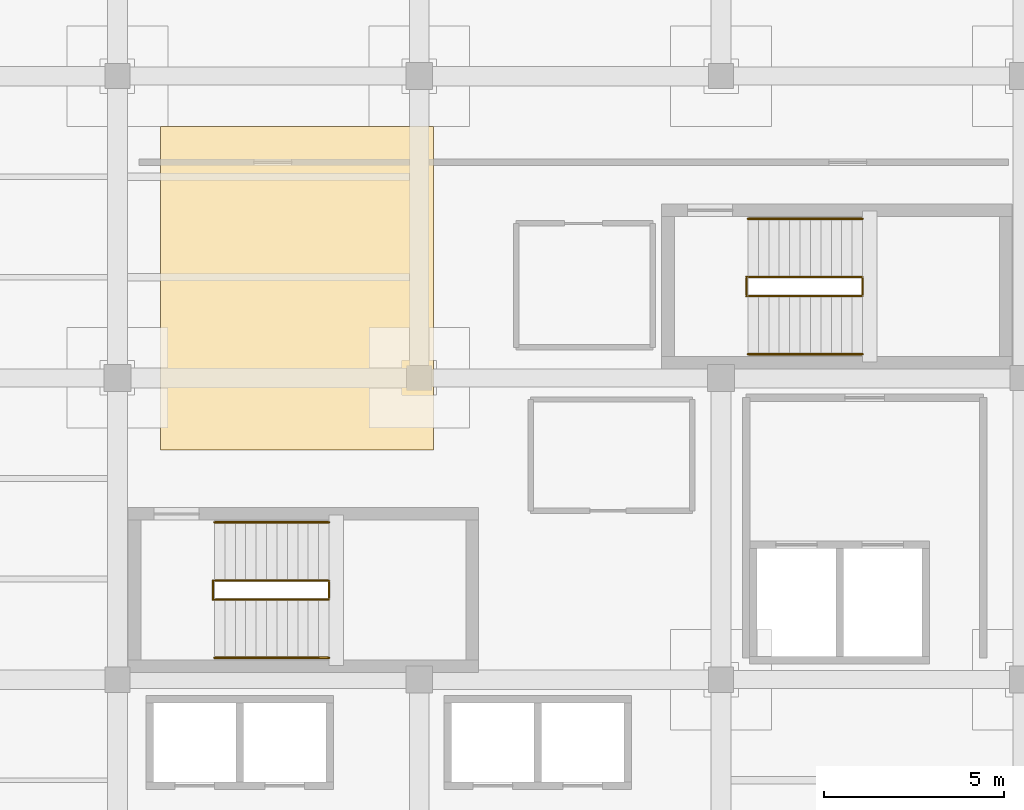
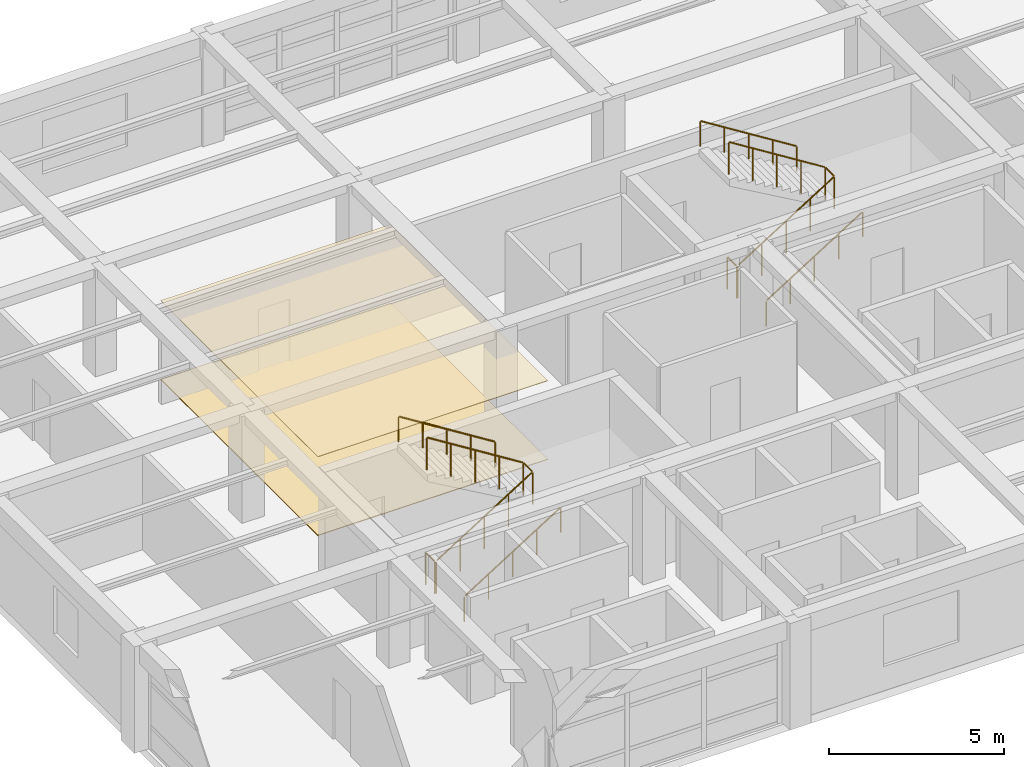
# One storey, part 31 of 31: 8 railings, 2 coverings.
"""IFC4 building model written with IfcOpenShell, lengths in metres."""

from ifc_helpers import new_model, si_unit, direction, frame, origin, origin_2d, place, context, subcontext, project, spatial, polyline, circle, outline, extrude, material, layer, layer_set, type_object, element, save


model = new_model("IFC4")

# Units and contexts
model_context = context("Model", 3, precision=1e-05, world=origin(), true_north=direction((0.0, 1.0)))
body_context = subcontext(model_context, "Body", "Model", "MODEL_VIEW")
ifc_project = project(units=[si_unit("LENGTHUNIT", "METRE"), si_unit("AREAUNIT", "SQUARE_METRE"), si_unit("VOLUMEUNIT", "CUBIC_METRE"), si_unit("PLANEANGLEUNIT", "RADIAN"), si_unit("MASSUNIT", "GRAM", prefix="KILO")], contexts=[model_context])

# Site, building, storey
site_placement = place(None, origin())
site = spatial("IfcSite", under=ifc_project, at=site_placement, CompositionType="ELEMENT")
building_placement = place(site_placement, origin())
building = spatial("IfcBuilding", under=site, at=building_placement, Name="Almacenes y Pasaje Nevantli", CompositionType="ELEMENT")
storey_placement = place(building_placement, frame((0.0, 0.0, 34.699951171875)))
storey = spatial("IfcBuildingStorey", under=building, at=storey_placement, Name="L08", CompositionType="ELEMENT", Elevation=34.699951171875)

# Coverings
ifc_material_1 = material(Name="Perforated Acoustic Mineral Fiber Ceiling", Category="gypsum")
ifc_layer_1 = layer(ifc_material_1, 0.02001953125)
ifc_layer_set_1 = layer_set([ifc_layer_1], Name="Perforated Acoustic Mineral Fiber Ceiling")
covering_type_1 = type_object("IfcCoveringType", Name="COV-CEIL-ACU", PredefinedType="CEILING", material=ifc_layer_set_1)
covering_1_placement = place(storey_placement, frame((0.0, 0.0, 2.75)))
element("IfcCovering", 1, at=covering_1_placement, inside=storey, type_object=covering_type_1, Name="L08 Suspended Acoustic Ceiling Panel", PredefinedType="CEILING", context=body_context, shape_type="SweptSolid", body=[
    extrude(outline(polyline([(118.800048828125, 82.0), (126.39990234375, 82.0), (126.39990234375, 91.0), (118.800048828125, 91.0), (118.800048828125, 82.0)])), origin(), (0.0, 0.0, 1.0), 0.02001953125),
])
ifc_material_2 = material(Name="Polished Toluca Stone Terrazzo Flooring", Category="masonry")
ifc_layer_2 = layer(ifc_material_2, 0.02490234375)
ifc_layer_set_2 = layer_set([ifc_layer_2], Name="Polished Toluca Stone Terrazzo Flooring")
covering_type_2 = type_object("IfcCoveringType", Name="COV-FLR-TERRAZZO", PredefinedType="FLOORING", material=ifc_layer_set_2)
covering_2_placement = place(storey_placement, origin())
element("IfcCovering", 2, at=covering_2_placement, inside=storey, type_object=covering_type_2, Name="L08 Polished Stone Terrazzo Floor Finish", PredefinedType="FLOORING", context=body_context, shape_type="SweptSolid", body=[
    extrude(outline(polyline([(118.800048828125, 82.0), (126.39990234375, 82.0), (126.39990234375, 91.0), (118.800048828125, 91.0), (118.800048828125, 82.0)])), origin(), (0.0, 0.0, 1.0), 0.025146484375),
])

# Railings
ifc_material_3 = material(Name="Brushed Stainless Steel and Tempered Safety Glass", Category="steel")
railing_type_1 = type_object("IfcRailingType", Name="RL-GUARD-1100", PredefinedType="BALUSTRADE", material=ifc_material_3)
railing_1_placement = place(storey_placement, frame((120.300048828125, 77.830078125, 0.0)))
element("IfcRailing", 3, at=railing_1_placement, inside=storey, type_object=railing_type_1, Name="L08 Stair ST-01 Inner Well Guard Balustrade", PredefinedType="BALUSTRADE", context=body_context, shape_type="SweptSolid", body=[
    extrude(circle(Radius=0.02392578125, at=origin_2d()), frame((0.025390625, 0.0, 1.141845703125), z_axis=(0.847247016309, 0.0, 0.531199108955), x_axis=(0.0, 1.0, 0.0)), (0.0, 0.0, 1.0), 3.705078125),
    extrude(circle(Radius=0.02392578125, at=origin_2d()), frame((3.18994140625, 0.030029296875, 3.1259765625), z_axis=(0.0, 1.0, 0.0), x_axis=(-1.0, 0.0, 0.0)), (0.0, 0.0, 1.0), 0.469970703125),
    extrude(circle(Radius=0.02392578125, at=origin_2d()), frame((3.16455078125, 0.530029296875, 3.141845703125), z_axis=(-0.847247016309, 0.0, 0.531199108955), x_axis=(0.0, -1.0, 0.0)), (0.0, 0.0, 1.0), 3.705078125),
    extrude(circle(Radius=0.02099609375, at=origin_2d()), origin(), (0.0, 0.0, 1.0), 1.096923828125),
    extrude(circle(Radius=0.02099609375, at=origin_2d()), frame((0.79736328125, 0.0, 0.5)), (0.0, 0.0, 1.0), 1.096923828125),
    extrude(circle(Radius=0.02099609375, at=origin_2d()), frame((1.594970703125, 0.0, 1.0)), (0.0, 0.0, 1.0), 1.096923828125),
    extrude(circle(Radius=0.02099609375, at=origin_2d()), frame((2.392578125, 0.0, 1.5)), (0.0, 0.0, 1.0), 1.096923828125),
    extrude(circle(Radius=0.02099609375, at=origin_2d()), frame((3.18994140625, 0.0, 2.0)), (0.0, 0.0, 1.0), 1.096923828125),
    extrude(circle(Radius=0.02099609375, at=origin_2d()), frame((3.18994140625, 0.530029296875, 2.0)), (0.0, 0.0, 1.0), 1.096923828125),
    extrude(circle(Radius=0.02099609375, at=origin_2d()), frame((2.392578125, 0.530029296875, 2.5)), (0.0, 0.0, 1.0), 1.096923828125),
    extrude(circle(Radius=0.02099609375, at=origin_2d()), frame((1.594970703125, 0.530029296875, 3.0)), (0.0, 0.0, 1.0), 1.096923828125),
    extrude(circle(Radius=0.02099609375, at=origin_2d()), frame((0.79736328125, 0.530029296875, 3.5)), (0.0, 0.0, 1.0), 1.096923828125),
    extrude(circle(Radius=0.02099609375, at=origin_2d()), frame((0.0, 0.530029296875, 4.0)), (0.0, 0.0, 1.0), 1.096923828125),
])
railing_2_placement = place(storey_placement, frame((120.260009765625, 77.830078125, 0.0)))
element("IfcRailing", 4, at=railing_2_placement, inside=storey, type_object=railing_type_1, Name="L08 Stair ST-01 Landing Well Slot Guard", PredefinedType="BALUSTRADE", context=body_context, shape_type="SweptSolid", body=[
    extrude(circle(Radius=0.02392578125, at=origin_2d()), frame((0.0, 0.030029296875, 1.1259765625), z_axis=(0.0, 1.0, 0.0), x_axis=(-1.0, 0.0, 0.0)), (0.0, 0.0, 1.0), 0.469970703125),
    extrude(circle(Radius=0.02099609375, at=origin_2d()), origin(), (0.0, 0.0, 1.0), 1.096923828125),
    extrude(circle(Radius=0.02099609375, at=origin_2d()), frame((0.0, 0.530029296875, 0.0)), (0.0, 0.0, 1.0), 1.096923828125),
])
railing_3_placement = place(storey_placement, frame((135.14990234375, 86.280029296875, 0.0)))
element("IfcRailing", 5, at=railing_3_placement, inside=storey, type_object=railing_type_1, Name="L08 Stair ST-02 Inner Well Guard Balustrade", PredefinedType="BALUSTRADE", context=body_context, shape_type="SweptSolid", body=[
    extrude(circle(Radius=0.02392578125, at=origin_2d()), frame((0.025390625, 0.0, 1.141845703125), z_axis=(0.847265311894, 0.0, 0.531169926918), x_axis=(0.0, 1.0, 0.0)), (0.0, 0.0, 1.0), 3.705322265625),
    extrude(circle(Radius=0.02392578125, at=origin_2d()), frame((3.190185546875, 0.030029296875, 3.1259765625), z_axis=(0.0, 1.0, 0.0), x_axis=(-1.0, 0.0, 0.0)), (0.0, 0.0, 1.0), 0.469970703125),
    extrude(circle(Radius=0.02392578125, at=origin_2d()), frame((3.164794921875, 0.530029296875, 3.141845703125), z_axis=(-0.847265311894, 0.0, 0.531169926918), x_axis=(0.0, -1.0, 0.0)), (0.0, 0.0, 1.0), 3.705322265625),
    extrude(circle(Radius=0.02099609375, at=origin_2d()), origin(), (0.0, 0.0, 1.0), 1.096923828125),
    extrude(circle(Radius=0.02099609375, at=origin_2d()), frame((0.797607421875, 0.0, 0.5)), (0.0, 0.0, 1.0), 1.096923828125),
    extrude(circle(Radius=0.02099609375, at=origin_2d()), frame((1.59521484375, 0.0, 1.0)), (0.0, 0.0, 1.0), 1.096923828125),
    extrude(circle(Radius=0.02099609375, at=origin_2d()), frame((2.392578125, 0.0, 1.5)), (0.0, 0.0, 1.0), 1.096923828125),
    extrude(circle(Radius=0.02099609375, at=origin_2d()), frame((3.190185546875, 0.0, 2.0)), (0.0, 0.0, 1.0), 1.096923828125),
    extrude(circle(Radius=0.02099609375, at=origin_2d()), frame((3.190185546875, 0.530029296875, 2.0)), (0.0, 0.0, 1.0), 1.096923828125),
    extrude(circle(Radius=0.02099609375, at=origin_2d()), frame((2.392578125, 0.530029296875, 2.5)), (0.0, 0.0, 1.0), 1.096923828125),
    extrude(circle(Radius=0.02099609375, at=origin_2d()), frame((1.59521484375, 0.530029296875, 3.0)), (0.0, 0.0, 1.0), 1.096923828125),
    extrude(circle(Radius=0.02099609375, at=origin_2d()), frame((0.797607421875, 0.530029296875, 3.5)), (0.0, 0.0, 1.0), 1.096923828125),
    extrude(circle(Radius=0.02099609375, at=origin_2d()), frame((0.0, 0.530029296875, 4.0)), (0.0, 0.0, 1.0), 1.096923828125),
])
railing_4_placement = place(storey_placement, frame((135.110107421875, 86.280029296875, 0.0)))
element("IfcRailing", 6, at=railing_4_placement, inside=storey, type_object=railing_type_1, Name="L08 Stair ST-02 Landing Well Slot Guard", PredefinedType="BALUSTRADE", context=body_context, shape_type="SweptSolid", body=[
    extrude(circle(Radius=0.02392578125, at=origin_2d()), frame((0.0, 0.030029296875, 1.1259765625), z_axis=(0.0, 1.0, 0.0), x_axis=(-1.0, 0.0, 0.0)), (0.0, 0.0, 1.0), 0.469970703125),
    extrude(circle(Radius=0.02099609375, at=origin_2d()), origin(), (0.0, 0.0, 1.0), 1.096923828125),
    extrude(circle(Radius=0.02099609375, at=origin_2d()), frame((0.0, 0.530029296875, 0.0)), (0.0, 0.0, 1.0), 1.096923828125),
])
ifc_material_4 = material(Name="Brushed Stainless Steel Tube", Category="steel")
railing_type_2 = type_object("IfcRailingType", Name="RL-HANDRAIL-900", PredefinedType="HANDRAIL", material=ifc_material_4)
railing_5_placement = place(storey_placement, frame((120.300048828125, 76.2099609375, 0.0)))
element("IfcRailing", 7, at=railing_5_placement, inside=storey, type_object=railing_type_2, Name="L08 Stair ST-01 Lower Flight Handrail", PredefinedType="HANDRAIL", context=body_context, shape_type="SweptSolid", body=[
    extrude(circle(Radius=0.02392578125, at=origin_2d()), frame((0.025390625, 0.0, 0.891845703125), z_axis=(0.847247016309, 0.0, 0.531199108955), x_axis=(0.0, 1.0, 0.0)), (0.0, 0.0, 1.0), 3.705078125),
    extrude(circle(Radius=0.02099609375, at=origin_2d()), origin(), (0.0, 0.0, 1.0), 0.846923828125),
    extrude(circle(Radius=0.02099609375, at=origin_2d()), frame((0.79736328125, 0.0, 0.5)), (0.0, 0.0, 1.0), 0.846923828125),
    extrude(circle(Radius=0.02099609375, at=origin_2d()), frame((1.594970703125, 0.0, 1.0)), (0.0, 0.0, 1.0), 0.846923828125),
    extrude(circle(Radius=0.02099609375, at=origin_2d()), frame((2.392578125, 0.0, 1.5)), (0.0, 0.0, 1.0), 0.846923828125),
    extrude(circle(Radius=0.02099609375, at=origin_2d()), frame((3.18994140625, 0.0, 2.0)), (0.0, 0.0, 1.0), 0.846923828125),
])
railing_6_placement = place(storey_placement, frame((123.489990234375, 79.97998046875, 2.0)))
element("IfcRailing", 8, at=railing_6_placement, inside=storey, type_object=railing_type_2, Name="L08 Stair ST-01 Upper Flight Handrail", PredefinedType="HANDRAIL", context=body_context, shape_type="SweptSolid", body=[
    extrude(circle(Radius=0.02392578125, at=origin_2d()), frame((-0.025390625, 0.0, 0.891845703125), z_axis=(-0.847247016309, 0.0, 0.531199108955), x_axis=(0.0, -1.0, 0.0)), (0.0, 0.0, 1.0), 3.705078125),
    extrude(circle(Radius=0.02099609375, at=origin_2d()), origin(), (0.0, 0.0, 1.0), 0.846923828125),
    extrude(circle(Radius=0.02099609375, at=origin_2d()), frame((-0.79736328125, 0.0, 0.5)), (0.0, 0.0, 1.0), 0.846923828125),
    extrude(circle(Radius=0.02099609375, at=origin_2d()), frame((-1.594970703125, 0.0, 1.0)), (0.0, 0.0, 1.0), 0.846923828125),
    extrude(circle(Radius=0.02099609375, at=origin_2d()), frame((-2.392578125, 0.0, 1.5)), (0.0, 0.0, 1.0), 0.846923828125),
    extrude(circle(Radius=0.02099609375, at=origin_2d()), frame((-3.18994140625, 0.0, 2.0)), (0.0, 0.0, 1.0), 0.846923828125),
])
railing_7_placement = place(storey_placement, frame((135.14990234375, 84.659912109375, 0.0)))
element("IfcRailing", 9, at=railing_7_placement, inside=storey, type_object=railing_type_2, Name="L08 Stair ST-02 Lower Flight Handrail", PredefinedType="HANDRAIL", context=body_context, shape_type="SweptSolid", body=[
    extrude(circle(Radius=0.02392578125, at=origin_2d()), frame((0.025390625, 0.0, 0.891845703125), z_axis=(0.847265311894, 0.0, 0.531169926918), x_axis=(0.0, 1.0, 0.0)), (0.0, 0.0, 1.0), 3.705322265625),
    extrude(circle(Radius=0.02099609375, at=origin_2d()), origin(), (0.0, 0.0, 1.0), 0.846923828125),
    extrude(circle(Radius=0.02099609375, at=origin_2d()), frame((0.797607421875, 0.0, 0.5)), (0.0, 0.0, 1.0), 0.846923828125),
    extrude(circle(Radius=0.02099609375, at=origin_2d()), frame((1.59521484375, 0.0, 1.0)), (0.0, 0.0, 1.0), 0.846923828125),
    extrude(circle(Radius=0.02099609375, at=origin_2d()), frame((2.392578125, 0.0, 1.5)), (0.0, 0.0, 1.0), 0.846923828125),
    extrude(circle(Radius=0.02099609375, at=origin_2d()), frame((3.190185546875, 0.0, 2.0)), (0.0, 0.0, 1.0), 0.846923828125),
])
railing_8_placement = place(storey_placement, frame((138.340087890625, 88.429931640625, 2.0)))
element("IfcRailing", 10, at=railing_8_placement, inside=storey, type_object=railing_type_2, Name="L08 Stair ST-02 Upper Flight Handrail", PredefinedType="HANDRAIL", context=body_context, shape_type="SweptSolid", body=[
    extrude(circle(Radius=0.02392578125, at=origin_2d()), frame((-0.025390625, 0.0, 0.891845703125), z_axis=(-0.847265311894, 0.0, 0.531169926918), x_axis=(0.0, -1.0, 0.0)), (0.0, 0.0, 1.0), 3.705322265625),
    extrude(circle(Radius=0.02099609375, at=origin_2d()), origin(), (0.0, 0.0, 1.0), 0.846923828125),
    extrude(circle(Radius=0.02099609375, at=origin_2d()), frame((-0.797607421875, 0.0, 0.5)), (0.0, 0.0, 1.0), 0.846923828125),
    extrude(circle(Radius=0.02099609375, at=origin_2d()), frame((-1.59521484375, 0.0, 1.0)), (0.0, 0.0, 1.0), 0.846923828125),
    extrude(circle(Radius=0.02099609375, at=origin_2d()), frame((-2.392578125, 0.0, 1.5)), (0.0, 0.0, 1.0), 0.846923828125),
    extrude(circle(Radius=0.02099609375, at=origin_2d()), frame((-3.190185546875, 0.0, 2.0)), (0.0, 0.0, 1.0), 0.846923828125),
])

save(model, "model.ifc")
